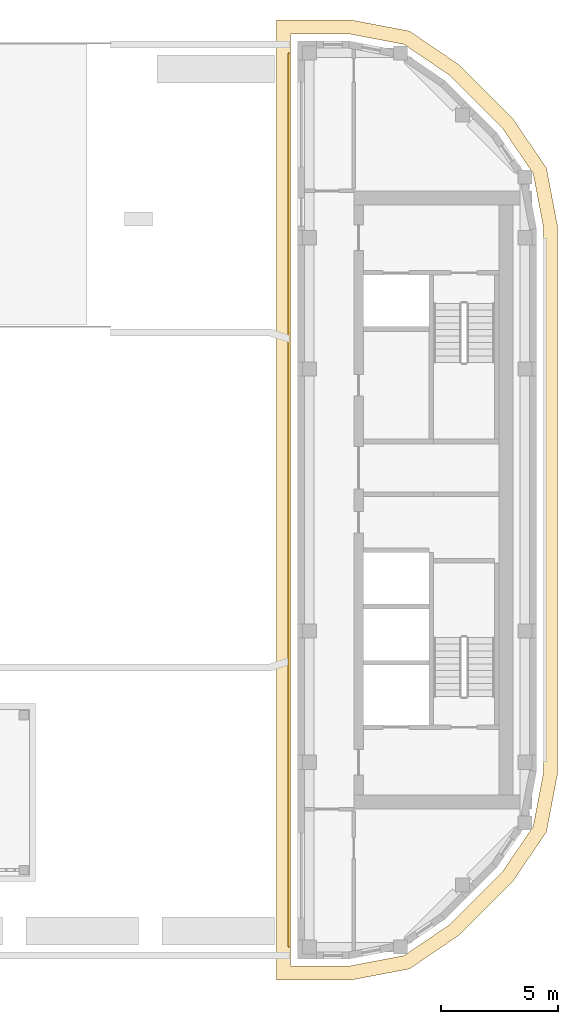
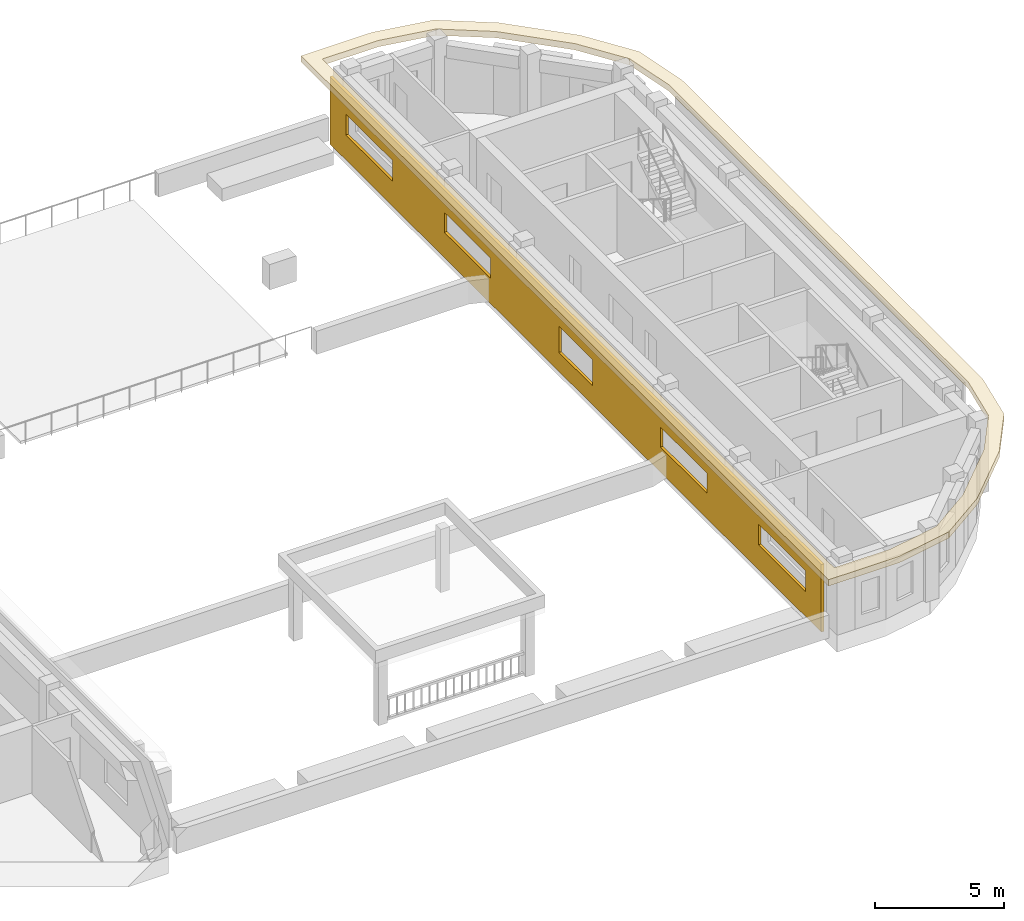
# One storey, part 10 of 14: 2 coverings.
"""IFC4 building model written with IfcOpenShell, lengths in metres."""

from ifc_helpers import new_model, si_unit, direction, frame, origin, place, context, subcontext, project, spatial, polyline, outline, extrude, material, layer, layer_set, type_object, element, save


model = new_model("IFC4")

# Units and contexts
model_context = context("Model", 3, precision=1e-05, world=origin(), true_north=direction((0.0, 1.0)))
body_context = subcontext(model_context, "Body", "Model", "MODEL_VIEW")
ifc_project = project(units=[si_unit("LENGTHUNIT", "METRE"), si_unit("AREAUNIT", "SQUARE_METRE"), si_unit("VOLUMEUNIT", "CUBIC_METRE"), si_unit("PLANEANGLEUNIT", "RADIAN"), si_unit("MASSUNIT", "GRAM", prefix="KILO")], contexts=[model_context])

# Site, building, storey
site_placement = place(None, origin())
site = spatial("IfcSite", under=ifc_project, at=site_placement, CompositionType="ELEMENT")
building_placement = place(site_placement, origin())
building = spatial("IfcBuilding", under=site, at=building_placement, Name="Kiln Ring Residences", CompositionType="ELEMENT")
storey_placement = place(building_placement, frame((0.0, 0.0, 299.89990234375)))
storey = spatial("IfcBuildingStorey", under=building, at=storey_placement, Name="L77 Crown", CompositionType="ELEMENT", Elevation=299.89990234375)

# Coverings
ifc_material_1 = material(Name="Brick masonry, dark clay brick", Category="masonry")
ifc_layer_1 = layer(ifc_material_1, 0.1201171875)
ifc_layer_set_1 = layer_set([ifc_layer_1], Name="RAINSCREEN PANEL 120")
covering_type_1 = type_object("IfcCoveringType", Name="RAINSCREEN PANEL 120", PredefinedType="CLADDING", material=ifc_layer_set_1)
covering_1_placement = place(storey_placement, frame((14.639892578125, 19.10009765625, 0.0), z_axis=(0.0, 0.0, 1.0), x_axis=(0.0, -1.0, 0.0)))
element("IfcCovering", 1, at=covering_1_placement, inside=storey, type_object=covering_type_1, Name="RAINSCREEN L77 Crown", PredefinedType="CLADDING", context=body_context, shape_type="SweptSolid", body=[
    extrude(outline(polyline([(0.0, 0.0), (38.199951171875, 0.0), (38.199951171875, 3.2001953125), (0.0, 3.2001953125), (0.0, 0.0)]), holes=[polyline([(20.39990234375, 0.900146484375), (20.39990234375, 2.150146484375), (17.800048828125, 2.150146484375), (17.800048828125, 0.900146484375), (20.39990234375, 0.900146484375)]), polyline([(4.882568359375, 1.18017578125), (4.882568359375, 2.170166015625), (1.242431640625, 2.170166015625), (1.242431640625, 1.18017578125), (4.882568359375, 1.18017578125)]), polyline([(12.5, 1.2001953125), (12.5, 2.150146484375), (8.89990234375, 2.150146484375), (8.89990234375, 1.2001953125), (12.5, 1.2001953125)]), polyline([(25.699951171875, 1.2001953125), (29.300048828125, 1.2001953125), (29.300048828125, 2.150146484375), (25.699951171875, 2.150146484375), (25.699951171875, 1.2001953125)]), polyline([(33.3173828125, 1.18017578125), (36.95751953125, 1.18017578125), (36.95751953125, 2.170166015625), (33.3173828125, 2.170166015625), (33.3173828125, 1.18017578125)])]), frame((0.0, 0.06005859375, 0.0), z_axis=(0.0, -1.0, 0.0), x_axis=(1.0, 0.0, 0.0)), (0.0, 0.0, 1.0), 0.1201171875),
])
ifc_material_2 = material(Name="Black powder-coated steel", Category="steel")
ifc_layer_2 = layer(ifc_material_2, 0.300048828125)
ifc_layer_set_2 = layer_set([ifc_layer_2], Name="SUNSHADE FIN 600")
covering_type_2 = type_object("IfcCoveringType", Name="SUNSHADE FIN 600", PredefinedType="CLADDING", material=ifc_layer_set_2)
covering_2_placement = place(storey_placement, frame((0.0, 0.0, 3.2001953125)))
element("IfcCovering", 2, at=covering_2_placement, inside=storey, type_object=covering_type_2, Name="SUNSHADE FIN L77 Crown", PredefinedType="CLADDING", context=body_context, shape_type="SweptSolid", body=[
    extrude(outline(polyline([(17.28515625, 20.5), (14.10009765625, 20.5), (14.10009765625, -20.5), (17.28515625, -20.5), (19.77587890625, -20.02490234375), (21.873291015625, -18.599609375), (24.199462890625, -16.273193359375), (25.625, -14.176025390625), (26.10009765625, -11.68505859375), (26.10009765625, 11.68505859375), (25.625, 14.176025390625), (24.199462890625, 16.273193359375), (21.873291015625, 18.599609375), (19.77587890625, 20.02490234375), (17.28515625, 20.5)]), holes=[polyline([(14.699951171875, -19.89990234375), (14.699951171875, 19.89990234375), (17.228515625, 19.89990234375), (19.54150390625, 19.458740234375), (21.489013671875, 18.135009765625), (23.735107421875, 15.88916015625), (25.058837890625, 13.94140625), (25.5, 11.62841796875), (25.5, -11.62841796875), (25.058837890625, -13.94140625), (23.735107421875, -15.88916015625), (21.489013671875, -18.135009765625), (19.54150390625, -19.458740234375), (17.228515625, -19.89990234375), (14.699951171875, -19.89990234375)])]), origin(), (0.0, 0.0, 1.0), 0.2998046875),
])

save(model, "model.ifc")
